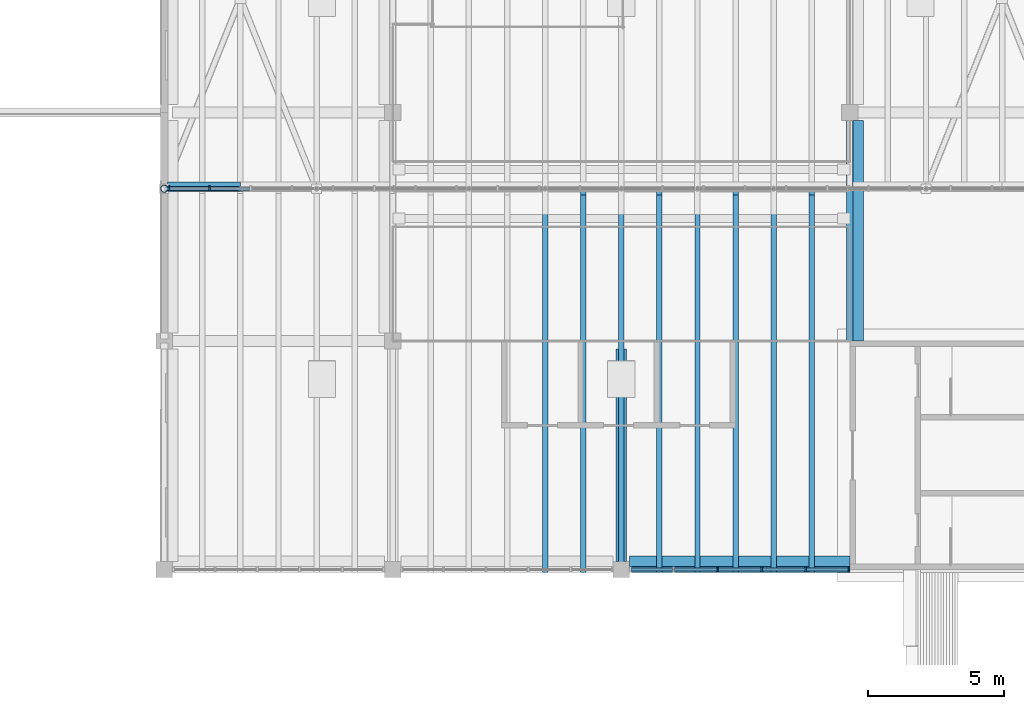
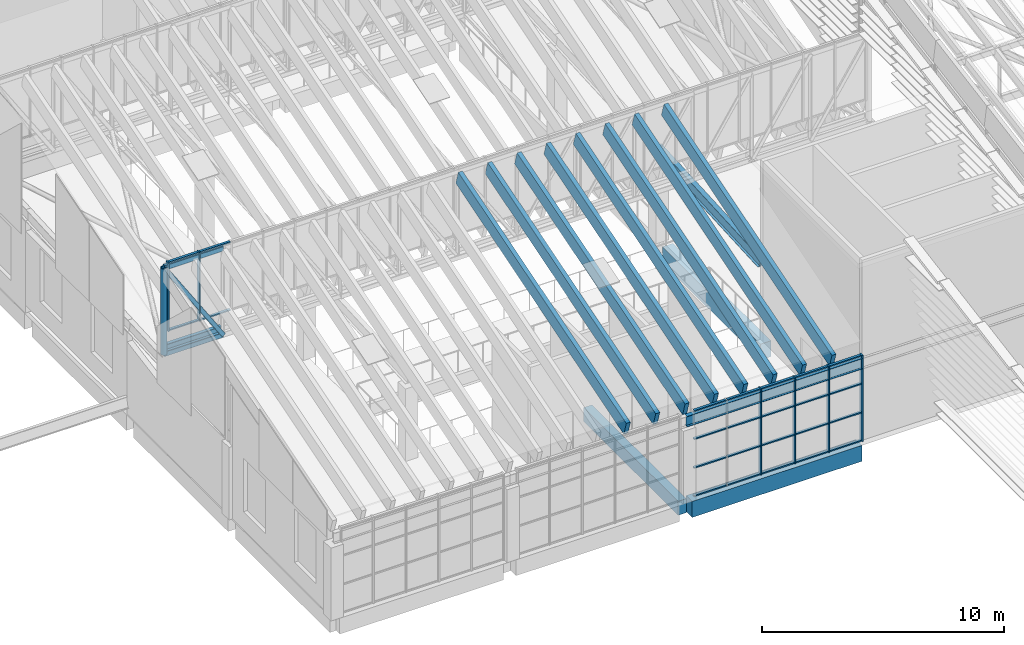
# One storey, part 8 of 91: 42 members, 6 beams, 2 elements without a shape of their own.
"""IFC4 building model written with IfcOpenShell, lengths in metres."""

from ifc_helpers import new_model, si_unit, direction, frame, origin, origin_2d, place, context, subcontext, project, spatial, rectangle, hollow_rectangle, hollow_circle, i_section, extrude, material, material_profile, profile_set, type_object, element, aggregate, save


model = new_model("IFC4")

# Units and contexts
model_context = context("Model", 3, precision=1e-05, world=origin(), true_north=direction((0.0, 1.0)))
body_context = subcontext(model_context, "Body", "Model", "MODEL_VIEW")
ifc_project = project(units=[si_unit("LENGTHUNIT", "METRE"), si_unit("AREAUNIT", "SQUARE_METRE"), si_unit("VOLUMEUNIT", "CUBIC_METRE"), si_unit("PLANEANGLEUNIT", "RADIAN"), si_unit("MASSUNIT", "GRAM", prefix="KILO")], contexts=[model_context])

# Site, building, storey
site_placement = place(None, origin())
site = spatial("IfcSite", under=ifc_project, at=site_placement, CompositionType="ELEMENT")
building_placement = place(site_placement, origin())
building = spatial("IfcBuilding", under=site, at=building_placement, Name="Almond Square Museum", CompositionType="ELEMENT")
storey_placement = place(building_placement, frame((0.0, 0.0, 30.0)))
storey = spatial("IfcBuildingStorey", under=building, at=storey_placement, Name="L05", CompositionType="ELEMENT", Elevation=30.0)

# Curtain wall, members
ifc_material_1 = material(Name="Aluminium and laminated glass", Category="aluminium")
curtain_wall_type = type_object("IfcCurtainWallType", Name="Unitised curtain wall 1500 module", PredefinedType="NOTDEFINED", material=ifc_material_1)
curtain_wall_1_placement = place(storey_placement, origin())
curtain_wall_1 = element("IfcCurtainWall", 1, at=curtain_wall_1_placement, inside=storey, type_object=curtain_wall_type, Name="Curtain wall CW-52", PredefinedType="NOTDEFINED")
ifc_material_2 = material(Name="Anodised aluminium", Category="aluminium")
ifc_material_profile_1 = material_profile(ifc_material_2, rectangle(XDim=0.199951171875, YDim=0.06005859375, at=origin_2d()))
ifc_profile_set_1 = profile_set([ifc_material_profile_1], Name="Anodised aluminium")
member_type_1 = type_object("IfcMemberType", Name="Aluminium mullion 60 x 200", PredefinedType="MULLION", material=ifc_profile_set_1)
member_1_placement = place(storey_placement, frame((93.5400390625, 67.199951171875, 0.0), z_axis=(0.0, 0.0, 1.0), x_axis=(0.0, 1.0, 0.0)))
member_1 = element("IfcMember", 2, at=member_1_placement, type_object=member_type_1, Name="CW-52 mullion 3", PredefinedType="MULLION", context=body_context, shape_type="SweptSolid", body=[
    extrude(rectangle(XDim=0.199951171875, YDim=0.06005859375, at=origin_2d()), origin(), (0.0, 0.0, 1.0), 4.346923828125),
])
member_2_placement = place(storey_placement, frame((95.159912109375, 67.199951171875, 0.0), z_axis=(0.0, 0.0, 1.0), x_axis=(0.0, 1.0, 0.0)))
member_2 = element("IfcMember", 3, at=member_2_placement, type_object=member_type_1, Name="CW-52 mullion 4", PredefinedType="MULLION", context=body_context, shape_type="SweptSolid", body=[
    extrude(rectangle(XDim=0.199951171875, YDim=0.06005859375, at=origin_2d()), origin(), (0.0, 0.0, 1.0), 4.346923828125),
])
member_3_placement = place(storey_placement, frame((96.780029296875, 67.199951171875, 0.0), z_axis=(0.0, 0.0, 1.0), x_axis=(0.0, 1.0, 0.0)))
member_3 = element("IfcMember", 4, at=member_3_placement, type_object=member_type_1, Name="CW-52 mullion 5", PredefinedType="MULLION", context=body_context, shape_type="SweptSolid", body=[
    extrude(rectangle(XDim=0.199951171875, YDim=0.06005859375, at=origin_2d()), origin(), (0.0, 0.0, 1.0), 4.346923828125),
])
member_4_placement = place(storey_placement, frame((98.3701171875, 67.199951171875, 0.0), z_axis=(0.0, 0.0, 1.0), x_axis=(0.0, 1.0, 0.0)))
member_4 = element("IfcMember", 5, at=member_4_placement, type_object=member_type_1, Name="CW-52 mullion 6", PredefinedType="MULLION", context=body_context, shape_type="SweptSolid", body=[
    extrude(rectangle(XDim=0.199951171875, YDim=0.06005859375, at=origin_2d()), origin(), (0.0, 0.0, 1.0), 4.346923828125),
])

curtain_wall_2_placement = place(storey_placement, origin())
curtain_wall_2 = element("IfcCurtainWall", 6, at=curtain_wall_2_placement, inside=storey, type_object=curtain_wall_type, Name="Rooflight glazing AG1", PredefinedType="NOTDEFINED")
member_5_placement = place(storey_placement, frame((73.3798828125, 81.199951171875, 5.800048828125), z_axis=(0.0, 0.0, 1.0), x_axis=(0.0, 1.0, 0.0)))
member_5 = element("IfcMember", 7, at=member_5_placement, type_object=member_type_1, Name="CW-56 mullion 1", PredefinedType="MULLION", context=body_context, shape_type="SweptSolid", body=[
    extrude(rectangle(XDim=0.199951171875, YDim=0.06005859375, at=origin_2d()), origin(), (0.0, 0.0, 1.0), 3.480224609375),
])
member_6_placement = place(storey_placement, frame((74.863525390625, 81.199951171875, 5.800048828125), z_axis=(0.0, 0.0, 1.0), x_axis=(0.0, 1.0, 0.0)))
member_6 = element("IfcMember", 8, at=member_6_placement, type_object=member_type_1, Name="CW-56 mullion 2", PredefinedType="MULLION", context=body_context, shape_type="SweptSolid", body=[
    extrude(rectangle(XDim=0.199951171875, YDim=0.06005859375, at=origin_2d()), origin(), (0.0, 0.0, 1.0), 3.480224609375),
])

# Member
ifc_material_3 = material(Name="Anodised aluminium", Category="aluminium")
ifc_material_profile_2 = material_profile(ifc_material_3, rectangle(XDim=0.1201171875, YDim=0.06005859375, at=origin_2d()))
ifc_profile_set_2 = profile_set([ifc_material_profile_2], Name="Anodised aluminium")
member_type_2 = type_object("IfcMemberType", Name="Aluminium transom 60 x 120", PredefinedType="USERDEFINED", material=ifc_profile_set_2)
member_7_placement = place(storey_placement, frame((90.360107421875, 67.199951171875, 0.030029296875), z_axis=(1.0, 0.0, 0.0), x_axis=(0.0, 1.0, 0.0)))
member_7 = element("IfcMember", 9, at=member_7_placement, type_object=member_type_2, Name="CW-52 transom 1.1", ObjectType="TRANSOM", PredefinedType="USERDEFINED", context=body_context, shape_type="SweptSolid", body=[
    extrude(rectangle(XDim=0.1201171875, YDim=0.06005859375, at=origin_2d()), origin(), (0.0, 0.0, 1.0), 1.52978515625),
])

member_8_placement = place(storey_placement, frame((90.360107421875, 67.199951171875, 1.448974609375), z_axis=(1.0, 0.0, 0.0), x_axis=(0.0, 1.0, 0.0)))
member_8 = element("IfcMember", 10, at=member_8_placement, type_object=member_type_2, Name="CW-52 transom 1.2", ObjectType="TRANSOM", PredefinedType="USERDEFINED", context=body_context, shape_type="SweptSolid", body=[
    extrude(rectangle(XDim=0.1201171875, YDim=0.06005859375, at=origin_2d()), origin(), (0.0, 0.0, 1.0), 1.52978515625),
])

member_9_placement = place(storey_placement, frame((90.360107421875, 67.199951171875, 2.89794921875), z_axis=(1.0, 0.0, 0.0), x_axis=(0.0, 1.0, 0.0)))
member_9 = element("IfcMember", 11, at=member_9_placement, type_object=member_type_2, Name="CW-52 transom 1.3", ObjectType="TRANSOM", PredefinedType="USERDEFINED", context=body_context, shape_type="SweptSolid", body=[
    extrude(rectangle(XDim=0.1201171875, YDim=0.06005859375, at=origin_2d()), origin(), (0.0, 0.0, 1.0), 1.52978515625),
])

member_10_placement = place(storey_placement, frame((90.360107421875, 67.199951171875, 4.31689453125), z_axis=(1.0, 0.0, 0.0), x_axis=(0.0, 1.0, 0.0)))
member_10 = element("IfcMember", 12, at=member_10_placement, type_object=member_type_2, Name="CW-52 transom 1.4", ObjectType="TRANSOM", PredefinedType="USERDEFINED", context=body_context, shape_type="SweptSolid", body=[
    extrude(rectangle(XDim=0.1201171875, YDim=0.06005859375, at=origin_2d()), origin(), (0.0, 0.0, 1.0), 1.52978515625),
])

member_11_placement = place(storey_placement, frame((91.949951171875, 67.199951171875, 0.030029296875), z_axis=(1.0, 0.0, 0.0), x_axis=(0.0, 1.0, 0.0)))
member_11 = element("IfcMember", 13, at=member_11_placement, type_object=member_type_2, Name="CW-52 transom 2.1", ObjectType="TRANSOM", PredefinedType="USERDEFINED", context=body_context, shape_type="SweptSolid", body=[
    extrude(rectangle(XDim=0.1201171875, YDim=0.06005859375, at=origin_2d()), origin(), (0.0, 0.0, 1.0), 1.56005859375),
])

member_12_placement = place(storey_placement, frame((91.949951171875, 67.199951171875, 1.448974609375), z_axis=(1.0, 0.0, 0.0), x_axis=(0.0, 1.0, 0.0)))
member_12 = element("IfcMember", 14, at=member_12_placement, type_object=member_type_2, Name="CW-52 transom 2.2", ObjectType="TRANSOM", PredefinedType="USERDEFINED", context=body_context, shape_type="SweptSolid", body=[
    extrude(rectangle(XDim=0.1201171875, YDim=0.06005859375, at=origin_2d()), origin(), (0.0, 0.0, 1.0), 1.56005859375),
])

member_13_placement = place(storey_placement, frame((91.949951171875, 67.199951171875, 2.89794921875), z_axis=(1.0, 0.0, 0.0), x_axis=(0.0, 1.0, 0.0)))
member_13 = element("IfcMember", 15, at=member_13_placement, type_object=member_type_2, Name="CW-52 transom 2.3", ObjectType="TRANSOM", PredefinedType="USERDEFINED", context=body_context, shape_type="SweptSolid", body=[
    extrude(rectangle(XDim=0.1201171875, YDim=0.06005859375, at=origin_2d()), origin(), (0.0, 0.0, 1.0), 1.56005859375),
])

member_14_placement = place(storey_placement, frame((91.949951171875, 67.199951171875, 4.31689453125), z_axis=(1.0, 0.0, 0.0), x_axis=(0.0, 1.0, 0.0)))
member_14 = element("IfcMember", 16, at=member_14_placement, type_object=member_type_2, Name="CW-52 transom 2.4", ObjectType="TRANSOM", PredefinedType="USERDEFINED", context=body_context, shape_type="SweptSolid", body=[
    extrude(rectangle(XDim=0.1201171875, YDim=0.06005859375, at=origin_2d()), origin(), (0.0, 0.0, 1.0), 1.56005859375),
])

member_15_placement = place(storey_placement, frame((93.570068359375, 67.199951171875, 0.030029296875), z_axis=(1.0, 0.0, 0.0), x_axis=(0.0, 1.0, 0.0)))
member_15 = element("IfcMember", 17, at=member_15_placement, type_object=member_type_2, Name="CW-52 transom 3.1", ObjectType="TRANSOM", PredefinedType="USERDEFINED", context=body_context, shape_type="SweptSolid", body=[
    extrude(rectangle(XDim=0.1201171875, YDim=0.06005859375, at=origin_2d()), origin(), (0.0, 0.0, 1.0), 1.559814453125),
])

member_16_placement = place(storey_placement, frame((93.570068359375, 67.199951171875, 1.448974609375), z_axis=(1.0, 0.0, 0.0), x_axis=(0.0, 1.0, 0.0)))
member_16 = element("IfcMember", 18, at=member_16_placement, type_object=member_type_2, Name="CW-52 transom 3.2", ObjectType="TRANSOM", PredefinedType="USERDEFINED", context=body_context, shape_type="SweptSolid", body=[
    extrude(rectangle(XDim=0.1201171875, YDim=0.06005859375, at=origin_2d()), origin(), (0.0, 0.0, 1.0), 1.559814453125),
])

member_17_placement = place(storey_placement, frame((93.570068359375, 67.199951171875, 2.89794921875), z_axis=(1.0, 0.0, 0.0), x_axis=(0.0, 1.0, 0.0)))
member_17 = element("IfcMember", 19, at=member_17_placement, type_object=member_type_2, Name="CW-52 transom 3.3", ObjectType="TRANSOM", PredefinedType="USERDEFINED", context=body_context, shape_type="SweptSolid", body=[
    extrude(rectangle(XDim=0.1201171875, YDim=0.06005859375, at=origin_2d()), origin(), (0.0, 0.0, 1.0), 1.559814453125),
])

member_18_placement = place(storey_placement, frame((93.570068359375, 67.199951171875, 4.31689453125), z_axis=(1.0, 0.0, 0.0), x_axis=(0.0, 1.0, 0.0)))
member_18 = element("IfcMember", 20, at=member_18_placement, type_object=member_type_2, Name="CW-52 transom 3.4", ObjectType="TRANSOM", PredefinedType="USERDEFINED", context=body_context, shape_type="SweptSolid", body=[
    extrude(rectangle(XDim=0.1201171875, YDim=0.06005859375, at=origin_2d()), origin(), (0.0, 0.0, 1.0), 1.559814453125),
])

member_19_placement = place(storey_placement, frame((95.18994140625, 67.199951171875, 0.030029296875), z_axis=(1.0, 0.0, 0.0), x_axis=(0.0, 1.0, 0.0)))
member_19 = element("IfcMember", 21, at=member_19_placement, type_object=member_type_2, Name="CW-52 transom 4.1", ObjectType="TRANSOM", PredefinedType="USERDEFINED", context=body_context, shape_type="SweptSolid", body=[
    extrude(rectangle(XDim=0.1201171875, YDim=0.06005859375, at=origin_2d()), origin(), (0.0, 0.0, 1.0), 1.56005859375),
])

member_20_placement = place(storey_placement, frame((95.18994140625, 67.199951171875, 1.448974609375), z_axis=(1.0, 0.0, 0.0), x_axis=(0.0, 1.0, 0.0)))
member_20 = element("IfcMember", 22, at=member_20_placement, type_object=member_type_2, Name="CW-52 transom 4.2", ObjectType="TRANSOM", PredefinedType="USERDEFINED", context=body_context, shape_type="SweptSolid", body=[
    extrude(rectangle(XDim=0.1201171875, YDim=0.06005859375, at=origin_2d()), origin(), (0.0, 0.0, 1.0), 1.56005859375),
])

member_21_placement = place(storey_placement, frame((95.18994140625, 67.199951171875, 2.89794921875), z_axis=(1.0, 0.0, 0.0), x_axis=(0.0, 1.0, 0.0)))
member_21 = element("IfcMember", 23, at=member_21_placement, type_object=member_type_2, Name="CW-52 transom 4.3", ObjectType="TRANSOM", PredefinedType="USERDEFINED", context=body_context, shape_type="SweptSolid", body=[
    extrude(rectangle(XDim=0.1201171875, YDim=0.06005859375, at=origin_2d()), origin(), (0.0, 0.0, 1.0), 1.56005859375),
])

member_22_placement = place(storey_placement, frame((95.18994140625, 67.199951171875, 4.31689453125), z_axis=(1.0, 0.0, 0.0), x_axis=(0.0, 1.0, 0.0)))
member_22 = element("IfcMember", 24, at=member_22_placement, type_object=member_type_2, Name="CW-52 transom 4.4", ObjectType="TRANSOM", PredefinedType="USERDEFINED", context=body_context, shape_type="SweptSolid", body=[
    extrude(rectangle(XDim=0.1201171875, YDim=0.06005859375, at=origin_2d()), origin(), (0.0, 0.0, 1.0), 1.56005859375),
])

member_23_placement = place(storey_placement, frame((96.81005859375, 67.199951171875, 0.030029296875), z_axis=(1.0, 0.0, 0.0), x_axis=(0.0, 1.0, 0.0)))
member_23 = element("IfcMember", 25, at=member_23_placement, type_object=member_type_2, Name="CW-52 transom 5.1", ObjectType="TRANSOM", PredefinedType="USERDEFINED", context=body_context, shape_type="SweptSolid", body=[
    extrude(rectangle(XDim=0.1201171875, YDim=0.06005859375, at=origin_2d()), origin(), (0.0, 0.0, 1.0), 1.530029296875),
])

member_24_placement = place(storey_placement, frame((96.81005859375, 67.199951171875, 1.448974609375), z_axis=(1.0, 0.0, 0.0), x_axis=(0.0, 1.0, 0.0)))
member_24 = element("IfcMember", 26, at=member_24_placement, type_object=member_type_2, Name="CW-52 transom 5.2", ObjectType="TRANSOM", PredefinedType="USERDEFINED", context=body_context, shape_type="SweptSolid", body=[
    extrude(rectangle(XDim=0.1201171875, YDim=0.06005859375, at=origin_2d()), origin(), (0.0, 0.0, 1.0), 1.530029296875),
])

member_25_placement = place(storey_placement, frame((96.81005859375, 67.199951171875, 2.89794921875), z_axis=(1.0, 0.0, 0.0), x_axis=(0.0, 1.0, 0.0)))
member_25 = element("IfcMember", 27, at=member_25_placement, type_object=member_type_2, Name="CW-52 transom 5.3", ObjectType="TRANSOM", PredefinedType="USERDEFINED", context=body_context, shape_type="SweptSolid", body=[
    extrude(rectangle(XDim=0.1201171875, YDim=0.06005859375, at=origin_2d()), origin(), (0.0, 0.0, 1.0), 1.530029296875),
])

member_26_placement = place(storey_placement, frame((96.81005859375, 67.199951171875, 4.31689453125), z_axis=(1.0, 0.0, 0.0), x_axis=(0.0, 1.0, 0.0)))
member_26 = element("IfcMember", 28, at=member_26_placement, type_object=member_type_2, Name="CW-52 transom 5.4", ObjectType="TRANSOM", PredefinedType="USERDEFINED", context=body_context, shape_type="SweptSolid", body=[
    extrude(rectangle(XDim=0.1201171875, YDim=0.06005859375, at=origin_2d()), origin(), (0.0, 0.0, 1.0), 1.530029296875),
])

aggregate(curtain_wall_1, [member_1, member_2, member_3, member_4, member_7, member_8, member_9, member_10, member_11, member_12, member_13, member_14, member_15, member_16, member_17, member_18, member_19, member_20, member_21, member_22, member_23, member_24, member_25, member_26])

member_27_placement = place(storey_placement, frame((73.409912109375, 81.199951171875, 5.830078125), z_axis=(1.0, 0.0, 0.0), x_axis=(0.0, 1.0, 0.0)))
member_27 = element("IfcMember", 29, at=member_27_placement, type_object=member_type_2, Name="CW-56 transom 1.1", ObjectType="TRANSOM", PredefinedType="USERDEFINED", context=body_context, shape_type="SweptSolid", body=[
    extrude(rectangle(XDim=0.1201171875, YDim=0.06005859375, at=origin_2d()), origin(), (0.0, 0.0, 1.0), 1.423828125),
])

member_28_placement = place(storey_placement, frame((73.409912109375, 81.199951171875, 9.250244140625), z_axis=(1.0, 0.0, 0.0), x_axis=(0.0, 1.0, 0.0)))
member_28 = element("IfcMember", 30, at=member_28_placement, type_object=member_type_2, Name="CW-56 transom 1.2", ObjectType="TRANSOM", PredefinedType="USERDEFINED", context=body_context, shape_type="SweptSolid", body=[
    extrude(rectangle(XDim=0.1201171875, YDim=0.06005859375, at=origin_2d()), origin(), (0.0, 0.0, 1.0), 1.423828125),
])

member_29_placement = place(storey_placement, frame((74.8935546875, 81.199951171875, 5.830078125), z_axis=(1.0, 0.0, 0.0), x_axis=(0.0, 1.0, 0.0)))
member_29 = element("IfcMember", 31, at=member_29_placement, type_object=member_type_2, Name="CW-56 transom 2.1", ObjectType="TRANSOM", PredefinedType="USERDEFINED", context=body_context, shape_type="SweptSolid", body=[
    extrude(rectangle(XDim=0.1201171875, YDim=0.06005859375, at=origin_2d()), origin(), (0.0, 0.0, 1.0), 1.45361328125),
])

member_30_placement = place(storey_placement, frame((74.8935546875, 81.199951171875, 9.250244140625), z_axis=(1.0, 0.0, 0.0), x_axis=(0.0, 1.0, 0.0)))
member_30 = element("IfcMember", 32, at=member_30_placement, type_object=member_type_2, Name="CW-56 transom 2.2", ObjectType="TRANSOM", PredefinedType="USERDEFINED", context=body_context, shape_type="SweptSolid", body=[
    extrude(rectangle(XDim=0.1201171875, YDim=0.06005859375, at=origin_2d()), origin(), (0.0, 0.0, 1.0), 1.45361328125),
])

aggregate(curtain_wall_2, [member_5, member_6, member_27, member_28, member_29, member_30])

# Beams
ifc_material_4 = material(Name="Structural steel S355", Category="steel")
ifc_material_profile_3 = material_profile(ifc_material_4, i_section(OverallWidth=0.208984375, OverallDepth=0.532958984375, WebThickness=0.01025390625, FlangeThickness=0.015625, at=origin_2d()))
ifc_profile_set_3 = profile_set([ifc_material_profile_3], Name="Structural steel S355")
beam_type_1 = type_object("IfcBeamType", Name="Eave beam W530x92", PredefinedType="BEAM", material=ifc_profile_set_3)
beam_1_placement = place(storey_placement, frame((90.0, 67.199951171875, 3.93701171875), z_axis=(1.0, 0.0, 0.0), x_axis=(0.0, 1.0, 0.0)))
element("IfcBeam", 33, at=beam_1_placement, inside=storey, type_object=beam_type_1, Name="Atrium south eave beam", PredefinedType="BEAM", context=body_context, shape_type="SweptSolid", body=[
    extrude(i_section(OverallWidth=0.208984375, OverallDepth=0.532958984375, WebThickness=0.01025390625, FlangeThickness=0.015625, at=origin_2d()), origin(), (0.0, 0.0, 1.0), 8.39990234375),
])
ifc_material_5 = material(Name="Structural steel S355", Category="steel")
ifc_material_profile_4 = material_profile(ifc_material_5, i_section(OverallWidth=0.22802734375, OverallDepth=0.60693359375, WebThickness=0.01123046875, FlangeThickness=0.017333984375, at=origin_2d()))
ifc_profile_set_4 = profile_set([ifc_material_profile_4], Name="Structural steel S355")
beam_type_2 = type_object("IfcBeamType", Name="Girder W610x113", PredefinedType="BEAM", material=ifc_profile_set_4)
beam_2_placement = place(storey_placement, frame((98.39990234375, 75.60009765625, 3.956787109375), z_axis=(0.0, 0.998371428865, 0.0570481378), x_axis=(-1.0, 0.0, 0.0)))
element("IfcBeam", 34, at=beam_2_placement, inside=storey, type_object=beam_type_2, Name="Atrium roof girder 3.1", PredefinedType="BEAM", context=body_context, shape_type="SweptSolid", body=[
    extrude(i_section(OverallWidth=0.22802734375, OverallDepth=0.60693359375, WebThickness=0.01123046875, FlangeThickness=0.017333984375, at=origin_2d()), origin(), (0.0, 0.0, 1.0), 8.41357421875),
])

# Members
ifc_material_6 = material(Name="Glulam GL28h", Category="wood")
ifc_material_profile_5 = material_profile(ifc_material_6, rectangle(XDim=0.199951171875, YDim=0.699951171875, at=origin_2d()))
ifc_profile_set_5 = profile_set([ifc_material_profile_5], Name="Glulam GL28h")
member_type_3 = type_object("IfcMemberType", Name="Glulam rafter GL28h 200x700", PredefinedType="RAFTER", material=ifc_profile_set_5)
for number, where, z_axis, x_axis, name in (
    (35, (87.199951171875, 67.199951171875, 4.529296875), (0.0, 0.956301397149, 0.292382690682), (-1.0, 0.0, 0.0), "Atrium rafter 1.11"),
    (36, (88.60009765625, 67.199951171875, 4.529296875), (0.0, 0.956301397149, 0.292382690682), (-1.0, 0.0, 0.0), "Atrium rafter 1.12"),
    (37, (90.0, 67.199951171875, 4.529296875), (0.0, 0.956301397149, 0.292382690682), (-1.0, 0.0, 0.0), "Atrium rafter 1.13"),
    (38, (91.39990234375, 67.199951171875, 4.529296875), (0.0, 0.956301397149, 0.292382690682), (-1.0, 0.0, 0.0), "Atrium rafter 1.14"),
    (39, (92.800048828125, 67.199951171875, 4.529296875), (0.0, 0.956301397149, 0.292382690682), (-1.0, 0.0, 0.0), "Atrium rafter 1.15"),
    (40, (94.199951171875, 67.199951171875, 4.529296875), (0.0, 0.956301397149, 0.292382690682), (-1.0, 0.0, 0.0), "Atrium rafter 1.16"),
    (41, (95.60009765625, 67.199951171875, 4.529296875), (0.0, 0.956301397149, 0.292382690682), (-1.0, 0.0, 0.0), "Atrium rafter 1.17"),
    (42, (97.0, 67.199951171875, 4.529296875), (0.0, 0.956301397149, 0.292382690682), (-1.0, 0.0, 0.0), "Atrium rafter 1.18"),
):
    element("IfcMember", number, at=place(storey_placement, frame(where, z_axis=z_axis, x_axis=x_axis)), inside=storey, type_object=member_type_3, Name=name, PredefinedType="RAFTER", context=body_context, shape_type="SweptSolid", body=[
        extrude(rectangle(XDim=0.199951171875, YDim=0.699951171875, at=origin_2d()), origin(), (0.0, 0.0, 1.0), 14.509033203125),
    ])

# Beams
ifc_material_7 = material(Name="Concrete C40/50", Category="concrete")
ifc_material_profile_6 = material_profile(ifc_material_7, rectangle(XDim=0.39990234375, YDim=0.699951171875, at=origin_2d()))
ifc_profile_set_6 = profile_set([ifc_material_profile_6], Name="Concrete C40/50")
beam_type_3 = type_object("IfcBeamType", Name="RC beam 400 x 700 C40/50", PredefinedType="BEAM", material=ifc_profile_set_6)
beam_3_placement = place(storey_placement, frame((90.0, 67.5, -0.60009765625), z_axis=(0.0, 1.0, 0.0), x_axis=(-1.0, 0.0, 0.0)))
element("IfcBeam", 43, at=beam_3_placement, inside=storey, type_object=beam_type_3, Name="Beam 12 I-J L05", PredefinedType="BEAM", context=body_context, shape_type="SweptSolid", body=[
    extrude(rectangle(XDim=0.39990234375, YDim=0.699951171875, at=origin_2d()), origin(), (0.0, 0.0, 1.0), 7.800048828125),
])
ifc_material_8 = material(Name="Concrete C40/50", Category="concrete")
ifc_material_profile_7 = material_profile(ifc_material_8, rectangle(XDim=0.5, YDim=0.800048828125, at=origin_2d()))
ifc_profile_set_7 = profile_set([ifc_material_profile_7], Name="Concrete C40/50")
beam_type_4 = type_object("IfcBeamType", Name="RC edge beam 500 x 800 C40/50", PredefinedType="BEAM", material=ifc_profile_set_7)
for number, where, z_axis, x_axis, name in (
    (44, (90.300048828125, 67.449951171875, -0.64990234375), (1.0, 0.0, 0.0), (0.0, 1.0, 0.0), "Edge beam I 12-13 L05"),
    (45, (98.64990234375, 75.60009765625, -0.64990234375), (0.0, 1.0, 0.0), (-1.0, 0.0, 0.0), "Edge beam 13 J-K L05"),
):
    element("IfcBeam", number, at=place(storey_placement, frame(where, z_axis=z_axis, x_axis=x_axis)), inside=storey, type_object=beam_type_4, Name=name, PredefinedType="BEAM", context=body_context, shape_type="SweptSolid", body=[
        extrude(rectangle(XDim=0.5, YDim=0.800048828125, at=origin_2d()), origin(), (0.0, 0.0, 1.0), 8.099853515625),
    ])

# Members
ifc_material_9 = material(Name="Structural steel S355", Category="steel")
ifc_material_profile_8 = material_profile(ifc_material_9, hollow_rectangle(XDim=0.14990234375, YDim=0.25, WallThickness=0.010009765625, InnerFilletRadius=0.014892578125, OuterFilletRadius=0.02490234375, at=origin_2d()))
ifc_profile_set_8 = profile_set([ifc_material_profile_8], Name="Structural steel S355")
member_type_4 = type_object("IfcMemberType", Name="Truss chord RHS 250x150x10", PredefinedType="CHORD", material=ifc_profile_set_8)
for number, where, z_axis, x_axis, name in (
    (46, (73.199951171875, 81.199951171875, 9.05078125), (1.0, 0.0, 0.0), (0.0, 1.0, 0.0), "TR-10 top chord 1"),
    (47, (73.199951171875, 81.199951171875, 4.705078125), (1.0, 0.0, 0.0), (0.0, 1.0, 0.0), "TR-10 bottom chord 1"),
):
    element("IfcMember", number, at=place(storey_placement, frame(where, z_axis=z_axis, x_axis=x_axis)), inside=storey, type_object=member_type_4, Name=name, PredefinedType="CHORD", context=body_context, shape_type="SweptSolid", body=[
        extrude(hollow_rectangle(XDim=0.14990234375, YDim=0.25, WallThickness=0.010009765625, InnerFilletRadius=0.014892578125, OuterFilletRadius=0.02490234375, at=origin_2d()), origin(), (0.0, 0.0, 1.0), 2.800048828125),
    ])
ifc_material_10 = material(Name="Structural steel S355", Category="steel")
ifc_material_profile_9 = material_profile(ifc_material_10, hollow_rectangle(XDim=0.199951171875, YDim=0.199951171875, WallThickness=0.010009765625, InnerFilletRadius=0.014892578125, OuterFilletRadius=0.02490234375, at=origin_2d()))
ifc_profile_set_9 = profile_set([ifc_material_profile_9], Name="Structural steel S355")
member_type_5 = type_object("IfcMemberType", Name="Truss diagonal SHS 200x200x10", PredefinedType="BRACE", material=ifc_profile_set_9)
member_31_placement = place(storey_placement, frame((73.199951171875, 81.199951171875, 9.05078125), z_axis=(0.541630888831, 0.0, -0.840616428738), x_axis=(0.0, 1.0, 0.0)))
element("IfcMember", 48, at=member_31_placement, inside=storey, type_object=member_type_5, Name="TR-10 diagonal 1", PredefinedType="BRACE", context=body_context, shape_type="SweptSolid", body=[
    extrude(hollow_rectangle(XDim=0.199951171875, YDim=0.199951171875, WallThickness=0.010009765625, InnerFilletRadius=0.014892578125, OuterFilletRadius=0.02490234375, at=origin_2d()), origin(), (0.0, 0.0, 1.0), 5.169677734375),
])
ifc_material_11 = material(Name="Structural steel S355", Category="steel")
ifc_material_profile_10 = material_profile(ifc_material_11, hollow_circle(Radius=0.136474609375, WallThickness=0.012451171875, at=origin_2d()))
ifc_profile_set_10 = profile_set([ifc_material_profile_10], Name="Structural steel S355")
member_type_6 = type_object("IfcMemberType", Name="Truss post CHS 273x12.5", PredefinedType="POST", material=ifc_profile_set_10)
member_32_placement = place(storey_placement, frame((73.199951171875, 81.199951171875, 4.705078125), z_axis=(0.0, 0.0, 1.0), x_axis=(1.0, 0.0, 0.0)))
element("IfcMember", 49, at=member_32_placement, inside=storey, type_object=member_type_6, Name="TR-10 post 1", PredefinedType="POST", context=body_context, shape_type="SweptSolid", body=[
    extrude(hollow_circle(Radius=0.136474609375, WallThickness=0.012451171875, at=origin_2d()), origin(), (0.0, 0.0, 1.0), 4.345703125),
])

# Beam
ifc_material_12 = material(Name="Structural steel S355", Category="steel")
ifc_material_profile_11 = material_profile(ifc_material_12, i_section(OverallWidth=0.166015625, OverallDepth=0.528076171875, WebThickness=0.009765625, FlangeThickness=0.013671875, at=origin_2d()))
ifc_profile_set_11 = profile_set([ifc_material_profile_11], Name="Structural steel S355")
beam_type_5 = type_object("IfcBeamType", Name="Valley beam W530x74", PredefinedType="BEAM", material=ifc_profile_set_11)
beam_4_placement = place(storey_placement, frame((73.31396484375, 81.35791015625, 4.787841796875), z_axis=(1.0, 0.0, 0.0), x_axis=(0.0, 1.0, 0.0)))
element("IfcBeam", 50, at=beam_4_placement, inside=storey, type_object=beam_type_5, Name="Atrium valley beam 1.1", PredefinedType="BEAM", context=body_context, shape_type="SweptSolid", body=[
    extrude(i_section(OverallWidth=0.166015625, OverallDepth=0.528076171875, WebThickness=0.009765625, FlangeThickness=0.013671875, at=origin_2d()), origin(), (0.0, 0.0, 1.0), 2.68603515625),
])

save(model, "model.ifc")
